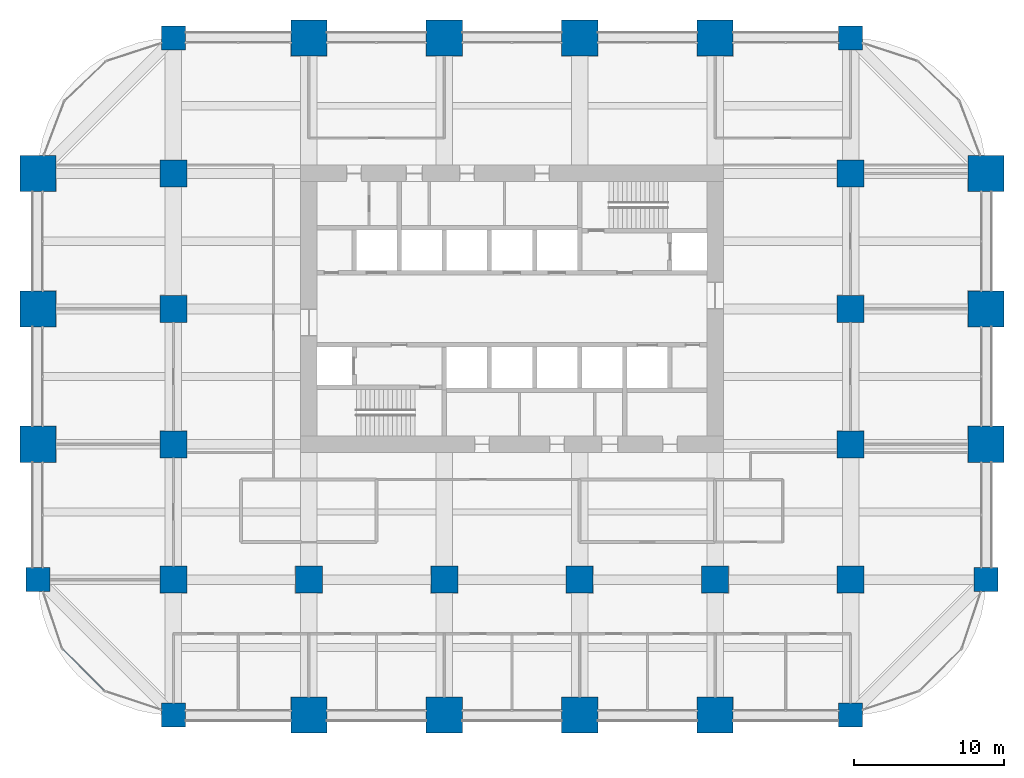
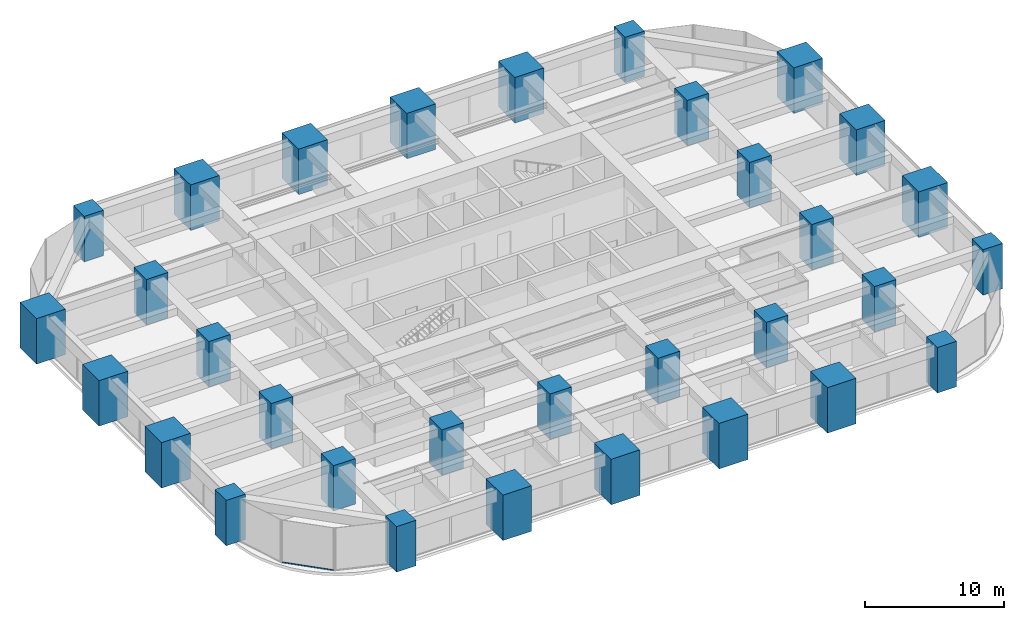
# One storey, part 1 of 40: 32 columns, 1 member, 1 element without a shape of its own.
"""IFC4 building model written with IfcOpenShell, lengths in metres."""

from ifc_helpers import new_model, si_unit, direction, frame, origin, origin_2d, place, context, subcontext, project, spatial, rectangle, hollow_rectangle, extrude, material, material_profile, profile_set, type_object, element, aggregate, save


model = new_model("IFC4")

# Units and contexts
model_context = context("Model", 3, precision=1e-05, world=origin(), true_north=direction((0.0, 1.0)))
body_context = subcontext(model_context, "Body", "Model", "MODEL_VIEW")
ifc_project = project(units=[si_unit("LENGTHUNIT", "METRE"), si_unit("AREAUNIT", "SQUARE_METRE"), si_unit("VOLUMEUNIT", "CUBIC_METRE"), si_unit("PLANEANGLEUNIT", "RADIAN"), si_unit("MASSUNIT", "GRAM", prefix="KILO")], contexts=[model_context])

# Site, building, storey
site_placement = place(None, origin())
site = spatial("IfcSite", under=ifc_project, at=site_placement, CompositionType="ELEMENT")
building_placement = place(site_placement, origin())
building = spatial("IfcBuilding", under=site, at=building_placement, Name="Zorevar Civic Tower", CompositionType="ELEMENT")
storey_placement = place(building_placement, frame((0.0, 0.0, 133.0)))
storey = spatial("IfcBuildingStorey", under=building, at=storey_placement, Name="L32", CompositionType="ELEMENT", Elevation=133.0)

# Columns
ifc_material_1 = material(Name="Concrete C50/60", Category="concrete")
ifc_material_profile_1 = material_profile(ifc_material_1, rectangle(XDim=1.60009765625, YDim=1.60009765625, at=origin_2d()), Name="RC 1600x1600")
ifc_profile_set_1 = profile_set([ifc_material_profile_1], Name="Concrete C50/60")
column_type_1 = type_object("IfcColumnType", Name="Column RC 1600x1600", PredefinedType="COLUMN", material=ifc_profile_set_1)
for number, where, z_axis, x_axis, name in (
    (1, (0.0, 9.0, 0.0), (0.0, 0.0, 1.0), (1.0, 0.0, 0.0), "Column 2B L32"),
    (2, (9.0, 0.0, 0.0), (0.0, 0.0, 1.0), (1.0, 0.0, 0.0), "Column 3A L32"),
    (3, (9.0, 45.0, 0.0), (0.0, 0.0, 1.0), (1.0, 0.0, 0.0), "Column 3F L32"),
    (4, (54.0, 0.0, 0.0), (0.0, 0.0, 1.0), (1.0, 0.0, 0.0), "Column 8A L32"),
    (5, (54.0, 45.0, 0.0), (0.0, 0.0, 1.0), (1.0, 0.0, 0.0), "Column 8F L32"),
    (6, (63.0, 9.0, 0.0), (0.0, 0.0, 1.0), (1.0, 0.0, 0.0), "Column 9B L32"),
):
    element("IfcColumn", number, at=place(storey_placement, frame(where, z_axis=z_axis, x_axis=x_axis)), inside=storey, type_object=column_type_1, Name=name, PredefinedType="COLUMN", context=body_context, shape_type="SweptSolid", body=[
        extrude(rectangle(XDim=1.60009765625, YDim=1.60009765625, at=origin_2d()), origin(), (0.0, 0.0, 1.0), 4.0),
    ])
ifc_material_2 = material(Name="Concrete C50/60", Category="concrete")
ifc_material_profile_2 = material_profile(ifc_material_2, rectangle(XDim=1.800048828125, YDim=1.800048828125, at=origin_2d()), Name="RC 1800x1800")
ifc_profile_set_2 = profile_set([ifc_material_profile_2], Name="Concrete C50/60")
column_type_2 = type_object("IfcColumnType", Name="Column RC 1800x1800", PredefinedType="COLUMN", material=ifc_profile_set_2)
for number, where, z_axis, x_axis, name in (
    (7, (9.0, 9.0, 0.0), (0.0, 0.0, 1.0), (1.0, 0.0, 0.0), "Column 3B L32"),
    (8, (9.0, 18.0, 0.0), (0.0, 0.0, 1.0), (1.0, 0.0, 0.0), "Column 3C L32"),
    (9, (9.0, 27.0, 0.0), (0.0, 0.0, 1.0), (1.0, 0.0, 0.0), "Column 3D L32"),
    (10, (9.0, 36.0, 0.0), (0.0, 0.0, 1.0), (1.0, 0.0, 0.0), "Column 3E L32"),
    (11, (18.0, 9.0, 0.0), (0.0, 0.0, 1.0), (1.0, 0.0, 0.0), "Column 4B L32"),
    (12, (27.0, 9.0, 0.0), (0.0, 0.0, 1.0), (1.0, 0.0, 0.0), "Column 5B L32"),
    (13, (36.0, 9.0, 0.0), (0.0, 0.0, 1.0), (1.0, 0.0, 0.0), "Column 6B L32"),
    (14, (45.0, 9.0, 0.0), (0.0, 0.0, 1.0), (1.0, 0.0, 0.0), "Column 7B L32"),
    (15, (54.0, 9.0, 0.0), (0.0, 0.0, 1.0), (1.0, 0.0, 0.0), "Column 8B L32"),
    (16, (54.0, 18.0, 0.0), (0.0, 0.0, 1.0), (1.0, 0.0, 0.0), "Column 8C L32"),
    (17, (54.0, 27.0, 0.0), (0.0, 0.0, 1.0), (1.0, 0.0, 0.0), "Column 8D L32"),
    (18, (54.0, 36.0, 0.0), (0.0, 0.0, 1.0), (1.0, 0.0, 0.0), "Column 8E L32"),
):
    element("IfcColumn", number, at=place(storey_placement, frame(where, z_axis=z_axis, x_axis=x_axis)), inside=storey, type_object=column_type_2, Name=name, PredefinedType="COLUMN", context=body_context, shape_type="SweptSolid", body=[
        extrude(rectangle(XDim=1.800048828125, YDim=1.800048828125, at=origin_2d()), origin(), (0.0, 0.0, 1.0), 4.0),
    ])
ifc_material_3 = material(Name="Concrete C50/60", Category="concrete")
ifc_material_profile_3 = material_profile(ifc_material_3, rectangle(XDim=2.39990234375, YDim=2.39990234375, at=origin_2d()), Name="RC 2400x2400")
ifc_profile_set_3 = profile_set([ifc_material_profile_3], Name="Concrete C50/60")
column_type_3 = type_object("IfcColumnType", Name="Mega column RC 2400x2400", PredefinedType="COLUMN", material=ifc_profile_set_3)
for number, where, z_axis, x_axis, name in (
    (19, (0.0, 18.0, 0.0), (0.0, 0.0, 1.0), (1.0, 0.0, 0.0), "Column 2C L32"),
    (20, (0.0, 27.0, 0.0), (0.0, 0.0, 1.0), (1.0, 0.0, 0.0), "Column 2D L32"),
    (21, (0.0, 36.0, 0.0), (0.0, 0.0, 1.0), (1.0, 0.0, 0.0), "Column 2E L32"),
    (22, (18.0, 0.0, 0.0), (0.0, 0.0, 1.0), (1.0, 0.0, 0.0), "Column 4A L32"),
    (23, (18.0, 45.0, 0.0), (0.0, 0.0, 1.0), (1.0, 0.0, 0.0), "Column 4F L32"),
    (24, (27.0, 0.0, 0.0), (0.0, 0.0, 1.0), (1.0, 0.0, 0.0), "Column 5A L32"),
    (25, (27.0, 45.0, 0.0), (0.0, 0.0, 1.0), (1.0, 0.0, 0.0), "Column 5F L32"),
    (26, (36.0, 0.0, 0.0), (0.0, 0.0, 1.0), (1.0, 0.0, 0.0), "Column 6A L32"),
    (27, (36.0, 45.0, 0.0), (0.0, 0.0, 1.0), (1.0, 0.0, 0.0), "Column 6F L32"),
    (28, (45.0, 0.0, 0.0), (0.0, 0.0, 1.0), (1.0, 0.0, 0.0), "Column 7A L32"),
    (29, (45.0, 45.0, 0.0), (0.0, 0.0, 1.0), (1.0, 0.0, 0.0), "Column 7F L32"),
    (30, (63.0, 18.0, 0.0), (0.0, 0.0, 1.0), (1.0, 0.0, 0.0), "Column 9C L32"),
    (31, (63.0, 27.0, 0.0), (0.0, 0.0, 1.0), (1.0, 0.0, 0.0), "Column 9D L32"),
    (32, (63.0, 36.0, 0.0), (0.0, 0.0, 1.0), (1.0, 0.0, 0.0), "Column 9E L32"),
):
    element("IfcColumn", number, at=place(storey_placement, frame(where, z_axis=z_axis, x_axis=x_axis)), inside=storey, type_object=column_type_3, Name=name, PredefinedType="COLUMN", context=body_context, shape_type="SweptSolid", body=[
        extrude(rectangle(XDim=2.39990234375, YDim=2.39990234375, at=origin_2d()), origin(), (0.0, 0.0, 1.0), 4.0),
    ])

# Curtain wall, member
ifc_material_4 = material(Name="Dark grey solar-control glass in black aluminium frame", Category="aluminium")
curtain_wall_type = type_object("IfcCurtainWallType", Name="Curtain wall CW3 mid zone", PredefinedType="NOTDEFINED", material=ifc_material_4)
curtain_wall_placement = place(storey_placement, origin())
curtain_wall = element("IfcCurtainWall", 33, at=curtain_wall_placement, inside=storey, type_object=curtain_wall_type, Name="CW3 L32", PredefinedType="NOTDEFINED")
ifc_material_5 = material(Name="Aluminium, black anodised", Category="aluminium")
ifc_material_profile_4 = material_profile(ifc_material_5, hollow_rectangle(XDim=0.06005859375, YDim=0.1201171875, WallThickness=0.0029296875, at=origin_2d()), Name="AL 120x60x3")
ifc_profile_set_4 = profile_set([ifc_material_profile_4], Name="Aluminium, black anodised")
member_type = type_object("IfcMemberType", Name="CW3 transom AL 120x60x3", PredefinedType="USERDEFINED", material=ifc_profile_set_4)
member_placement = place(storey_placement, frame((1.64501953125, 4.37841796875, 0.030029296875), z_axis=(0.707106781187, -0.707106781187, 0.0), x_axis=(0.707106781187, 0.707106781187, 0.0)))
member = element("IfcMember", 34, at=member_placement, type_object=member_type, Name="CW3 sill transom", ObjectType="TRANSOM", PredefinedType="USERDEFINED", context=body_context, shape_type="SweptSolid", body=[
    extrude(hollow_rectangle(XDim=0.06005859375, YDim=0.1201171875, WallThickness=0.0029296875, at=origin_2d()), origin(), (0.0, 0.0, 1.0), 3.86572265625),
])
aggregate(curtain_wall, [member])

save(model, "model.ifc")
